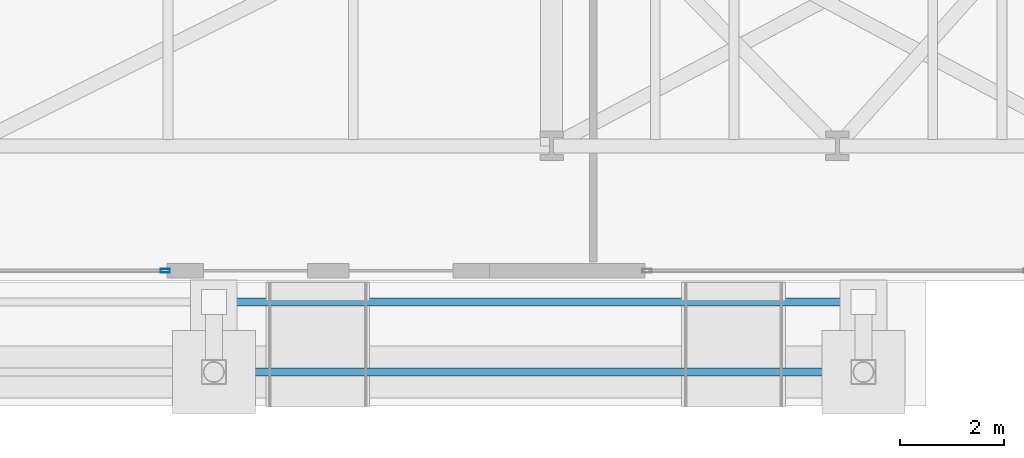
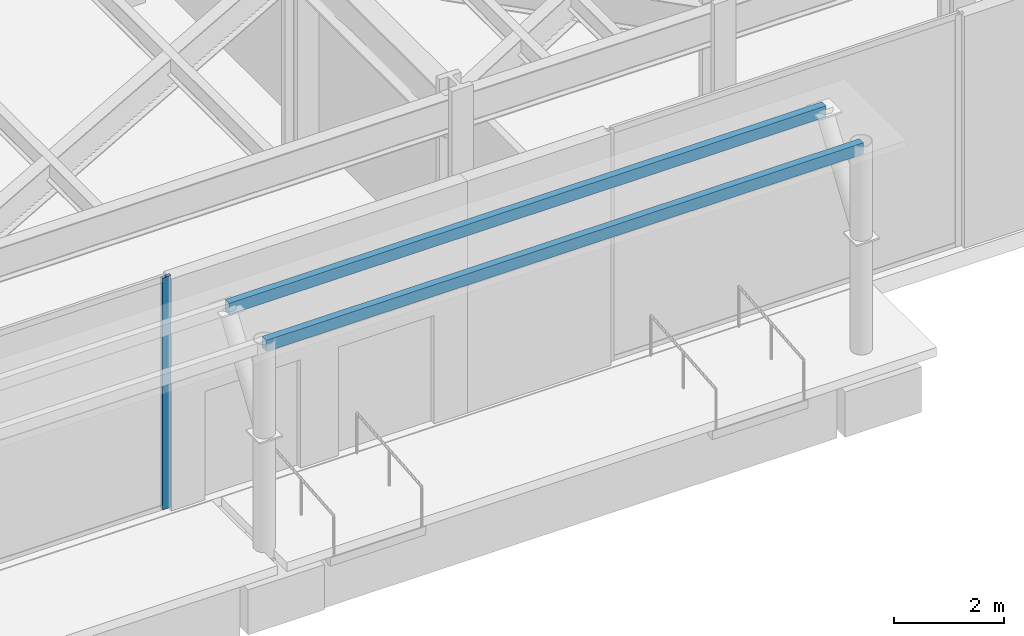
# One storey, part 15 of 31: 3 members, 1 element without a shape of its own.
"""IFC4 building model written with IfcOpenShell, lengths in metres."""

from ifc_helpers import new_model, si_unit, direction, frame, origin, origin_2d, place, context, subcontext, project, spatial, hollow_rectangle, extrude, material, layer, layer_set, material_profile, profile_set, type_object, element, aggregate, save


model = new_model("IFC4")

# Units and contexts
model_context = context("Model", 3, precision=1e-05, world=origin(), true_north=direction((0.0, 1.0)))
body_context = subcontext(model_context, "Body", "Model", "MODEL_VIEW")
ifc_project = project(units=[si_unit("LENGTHUNIT", "METRE"), si_unit("AREAUNIT", "SQUARE_METRE"), si_unit("VOLUMEUNIT", "CUBIC_METRE"), si_unit("PLANEANGLEUNIT", "RADIAN"), si_unit("MASSUNIT", "GRAM", prefix="KILO")], contexts=[model_context])

# Site, building, storey
site_placement = place(None, origin())
site = spatial("IfcSite", under=ifc_project, at=site_placement, CompositionType="ELEMENT")
building_placement = place(site_placement, origin())
building = spatial("IfcBuilding", under=site, at=building_placement, Name="Kravanh Interchange Tower", CompositionType="ELEMENT")
storey_placement = place(building_placement, origin())
storey = spatial("IfcBuildingStorey", under=building, at=storey_placement, Name="L00", CompositionType="ELEMENT", Elevation=0.0)

# Members
ifc_material_1 = material(Name="Structural Steel S355", Category="steel")
ifc_material_profile_1 = material_profile(ifc_material_1, hollow_rectangle(XDim=0.14990234375, YDim=0.25, WallThickness=0.010009765625, at=origin_2d()), Name="HSS250X150X10")
ifc_profile_set_1 = profile_set([ifc_material_profile_1], Name="Structural Steel S355")
member_type_1 = type_object("IfcMemberType", Name="Canopy Roof Purlin HSS250X150X10 Structural Steel S355", PredefinedType="PURLIN", material=ifc_profile_set_1)
for number, where, z_axis, x_axis, name in (
    (1, (49.5, -0.39990234375, 4.47509765625), (1.0, 0.0, 0.0), (0.0, 1.0, 0.0), "Transit Canopy Purlin 5A"),
    (2, (49.5, -1.75, 4.47509765625), (1.0, 0.0, 0.0), (0.0, 1.0, 0.0), "Transit Canopy Purlin 5B"),
):
    element("IfcMember", number, at=place(storey_placement, frame(where, z_axis=z_axis, x_axis=x_axis)), inside=storey, type_object=member_type_1, Name=name, PredefinedType="PURLIN", context=body_context, shape_type="SweptSolid", body=[
        extrude(hollow_rectangle(XDim=0.14990234375, YDim=0.25, WallThickness=0.010009765625, at=origin_2d()), origin(), (0.0, 0.0, 1.0), 12.5),
    ])

# Curtain wall, member
ifc_material_2 = material(Name="Anodised Bronze Aluminium", Category="aluminium")
ifc_layer = layer(ifc_material_2, 0.179931640625)
ifc_layer_set = layer_set([ifc_layer], Name="Unitised Curtain Wall System CW-POD Podium Concourse")
curtain_wall_type = type_object("IfcCurtainWallType", Name="Unitised Curtain Wall System CW-POD Podium Concourse", PredefinedType="NOTDEFINED", material=ifc_layer_set)
curtain_wall_placement = place(storey_placement, origin())
curtain_wall = element("IfcCurtainWall", 3, at=curtain_wall_placement, inside=storey, type_object=curtain_wall_type, Name="L00 Unitised Curtain Wall CW-L00-02", PredefinedType="NOTDEFINED")
ifc_material_3 = material(Name="Anodised Bronze Aluminium", Category="aluminium")
ifc_material_profile_2 = material_profile(ifc_material_3, hollow_rectangle(XDim=0.070068359375, YDim=0.179931640625, WallThickness=0.00390625, at=origin_2d()), Name="ALU70X180X4")
ifc_profile_set_2 = profile_set([ifc_material_profile_2], Name="Anodised Bronze Aluminium")
member_type_2 = type_object("IfcMemberType", Name="Curtain Wall Mullion ALU70X180X4 Bronze", PredefinedType="MULLION", material=ifc_profile_set_2)
member_placement = place(storey_placement, frame((48.56494140625, 0.199951171875, 0.0), z_axis=(0.0, 0.0, 1.0), x_axis=(0.0, 1.0, 0.0)))
member = element("IfcMember", 4, at=member_placement, type_object=member_type_2, Name="CW-POD mullion 3", PredefinedType="MULLION", context=body_context, shape_type="SweptSolid", body=[
    extrude(hollow_rectangle(XDim=0.070068359375, YDim=0.179931640625, WallThickness=0.00390625, at=origin_2d()), origin(), (0.0, 0.0, 1.0), 5.1298828125),
])
aggregate(curtain_wall, [member])

save(model, "model.ifc")
